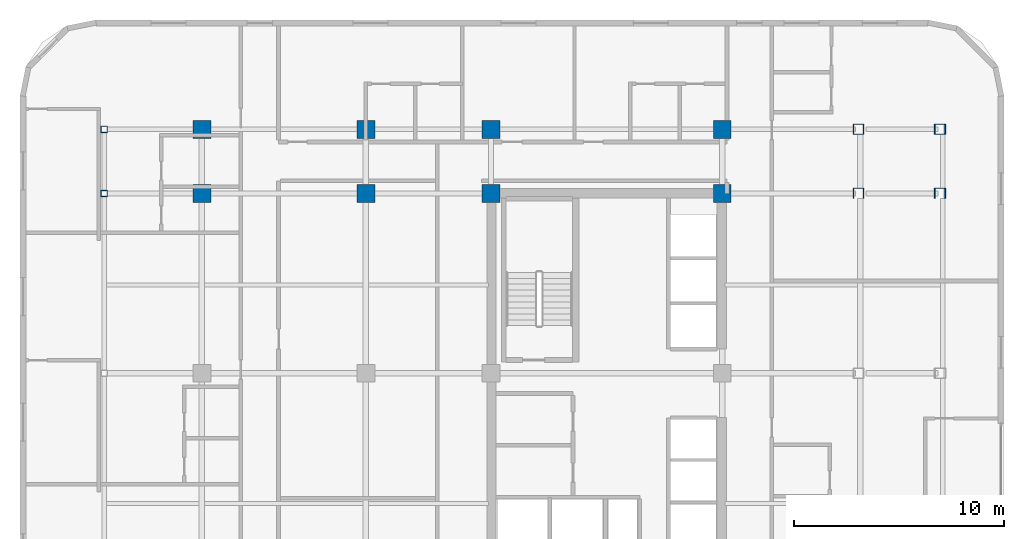
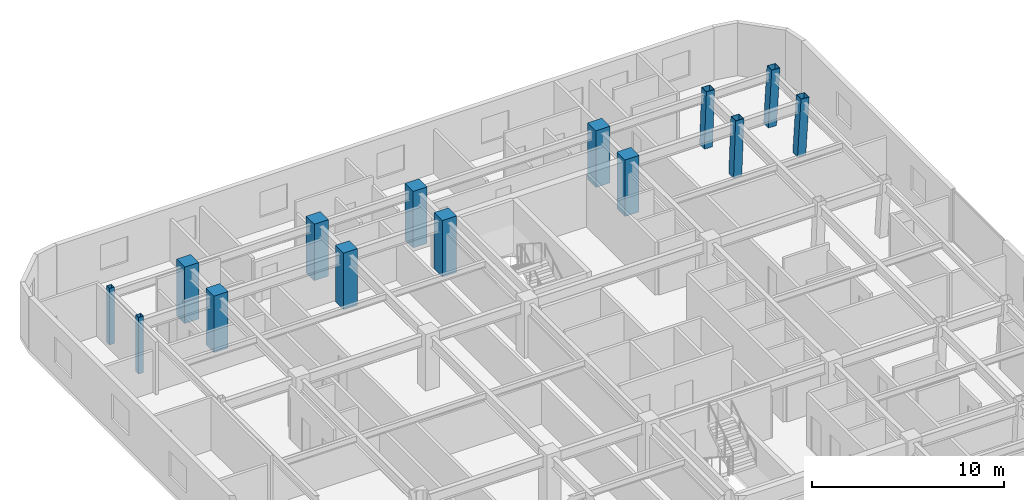
# One storey, part 3 of 13: 14 columns.
"""IFC4 building model written with IfcOpenShell, lengths in metres."""

from ifc_helpers import new_model, si_unit, direction, frame, origin, origin_2d, place, context, subcontext, project, spatial, rectangle, hollow_rectangle, extrude, material, material_profile, profile_set, type_object, element, save


model = new_model("IFC4")

# Units and contexts
model_context = context("Model", 3, precision=1e-05, world=origin(), true_north=direction((0.0, 1.0)))
body_context = subcontext(model_context, "Body", "Model", "MODEL_VIEW")
ifc_project = project(units=[si_unit("LENGTHUNIT", "METRE"), si_unit("AREAUNIT", "SQUARE_METRE"), si_unit("VOLUMEUNIT", "CUBIC_METRE"), si_unit("PLANEANGLEUNIT", "RADIAN"), si_unit("MASSUNIT", "GRAM", prefix="KILO")], contexts=[model_context])

# Site, building, storey
site_placement = place(None, origin())
site = spatial("IfcSite", under=ifc_project, at=site_placement, CompositionType="ELEMENT")
building_placement = place(site_placement, origin())
building = spatial("IfcBuilding", under=site, at=building_placement, Name="Ochreholt Gables", CompositionType="ELEMENT")
storey_placement = place(building_placement, frame((0.0, 0.0, 49.199951171875)))
storey = spatial("IfcBuildingStorey", under=building, at=storey_placement, Name="L12", CompositionType="ELEMENT", Elevation=49.199951171875)

# Columns
ifc_material_1 = material(Name="Steel CSA G40.21 350W", Category="steel")
ifc_material_profile_1 = material_profile(ifc_material_1, hollow_rectangle(XDim=0.304931640625, YDim=0.304931640625, WallThickness=0.0126953125, at=origin_2d()), Name="HSS305X305X13")
ifc_profile_set_1 = profile_set([ifc_material_profile_1], Name="Steel CSA G40.21 350W")
column_type_1 = type_object("IfcColumnType", Name="COL-HSS305-EXT", PredefinedType="COLUMN", material=ifc_profile_set_1)
for number, where, z_axis, x_axis, name in (
    (1, (5.800048828125, 38.75, 0.0), (0.0, 0.0, 1.0), (1.0, 0.0, 0.0), "L12 Column WTY5"),
    (2, (5.800048828125, 41.800048828125, 0.0), (0.0, 0.0, 1.0), (1.0, 0.0, 0.0), "L12 Column WTY6"),
):
    element("IfcColumn", number, at=place(storey_placement, frame(where, z_axis=z_axis, x_axis=x_axis)), inside=storey, type_object=column_type_1, Name=name, PredefinedType="COLUMN", context=body_context, shape_type="SweptSolid", body=[
        extrude(hollow_rectangle(XDim=0.304931640625, YDim=0.304931640625, WallThickness=0.0126953125, at=origin_2d()), origin(), (0.0, 0.0, 1.0), 3.60009765625),
    ])
ifc_material_profile_2 = material_profile(ifc_material_1, hollow_rectangle(XDim=0.5, YDim=0.5, WallThickness=0.02197265625, at=origin_2d()), Name="HSS500X500X22")
ifc_profile_set_2 = profile_set([ifc_material_profile_2], Name="Steel CSA G40.21 350W")
column_type_2 = type_object("IfcColumnType", Name="COL-HSS500-RAK", PredefinedType="COLUMN", material=ifc_profile_set_2)
column_1_placement = place(storey_placement, frame((41.657958984375, 38.75, 0.0), z_axis=(0.034971136209, 0.0, 0.999388322742), x_axis=(0.0, 1.0, 0.0)))
element("IfcColumn", 3, at=column_1_placement, inside=storey, type_object=column_type_2, Name="L12 Column EMY5", PredefinedType="COLUMN", context=body_context, shape_type="SweptSolid", body=[
    extrude(hollow_rectangle(XDim=0.5, YDim=0.5, WallThickness=0.02197265625, at=origin_2d()), origin(), (0.0, 0.0, 1.0), 3.602294921875),
])
ifc_material_profile_3 = material_profile(ifc_material_1, hollow_rectangle(XDim=0.5, YDim=0.5, WallThickness=0.02197265625, at=origin_2d()), Name="HSS500X500X22")
ifc_profile_set_3 = profile_set([ifc_material_profile_3], Name="Steel CSA G40.21 350W")
column_type_3 = type_object("IfcColumnType", Name="COL-HSS500-RAKE", PredefinedType="COLUMN", material=ifc_profile_set_3)
column_2_placement = place(storey_placement, frame((41.657958984375, 41.800048828125, 0.0), z_axis=(0.034971136209, 0.0, 0.999388322742), x_axis=(0.0, 1.0, 0.0)))
element("IfcColumn", 4, at=column_2_placement, inside=storey, type_object=column_type_3, Name="L12 Column EMY6", PredefinedType="COLUMN", context=body_context, shape_type="SweptSolid", body=[
    extrude(hollow_rectangle(XDim=0.5, YDim=0.5, WallThickness=0.02197265625, at=origin_2d()), origin(), (0.0, 0.0, 1.0), 3.602294921875),
])
for number, where, z_axis, x_axis, name in (
    (5, (45.510498046875, 38.75, 0.0), (0.057884606321, 0.0, 0.998323280481), (0.0, 1.0, 0.0), "L12 Column EEY5"),
    (6, (45.510498046875, 41.800048828125, 0.0), (0.057884606321, 0.0, 0.998323280481), (0.0, 1.0, 0.0), "L12 Column EEY6"),
):
    element("IfcColumn", number, at=place(storey_placement, frame(where, z_axis=z_axis, x_axis=x_axis)), inside=storey, type_object=column_type_3, Name=name, PredefinedType="COLUMN", context=body_context, shape_type="SweptSolid", body=[
        extrude(hollow_rectangle(XDim=0.5, YDim=0.5, WallThickness=0.02197265625, at=origin_2d()), origin(), (0.0, 0.0, 1.0), 3.606201171875),
    ])
ifc_material_2 = material(Name="Concrete 60 MPa", Category="concrete")
ifc_material_profile_4 = material_profile(ifc_material_2, rectangle(XDim=0.85009765625, YDim=0.85009765625, at=origin_2d()), Name="RC850X850")
ifc_profile_set_4 = profile_set([ifc_material_profile_4], Name="Concrete 60 MPa")
column_type_4 = type_object("IfcColumnType", Name="COL-RC850-EXT", PredefinedType="COLUMN", material=ifc_profile_set_4)
for number, where, z_axis, x_axis, name in (
    (7, (10.449951171875, 41.800048828125, 0.0), (0.0, 0.0, 1.0), (1.0, 0.0, 0.0), "L12 Column W2Y6"),
    (8, (18.25, 41.800048828125, 0.0), (0.0, 0.0, 1.0), (1.0, 0.0, 0.0), "L12 Column W3Y6"),
    (9, (24.199951171875, 41.800048828125, 0.0), (0.0, 0.0, 1.0), (1.0, 0.0, 0.0), "L12 Column C1Y6"),
    (10, (35.199951171875, 41.800048828125, 0.0), (0.0, 0.0, 1.0), (1.0, 0.0, 0.0), "L12 Column C2Y6"),
):
    element("IfcColumn", number, at=place(storey_placement, frame(where, z_axis=z_axis, x_axis=x_axis)), inside=storey, type_object=column_type_4, Name=name, PredefinedType="COLUMN", context=body_context, shape_type="SweptSolid", body=[
        extrude(rectangle(XDim=0.85009765625, YDim=0.85009765625, at=origin_2d()), origin(), (0.0, 0.0, 1.0), 3.60009765625),
    ])
ifc_material_profile_5 = material_profile(ifc_material_2, rectangle(XDim=0.85009765625, YDim=0.85009765625, at=origin_2d()), Name="RC850X850")
ifc_profile_set_5 = profile_set([ifc_material_profile_5], Name="Concrete 60 MPa")
column_type_5 = type_object("IfcColumnType", Name="COL-RC850-INT", PredefinedType="COLUMN", material=ifc_profile_set_5)
for number, where, z_axis, x_axis, name in (
    (11, (10.449951171875, 38.75, 0.0), (0.0, 0.0, 1.0), (1.0, 0.0, 0.0), "L12 Column W2Y5"),
    (12, (18.25, 38.75, 0.0), (0.0, 0.0, 1.0), (1.0, 0.0, 0.0), "L12 Column W3Y5"),
    (13, (24.199951171875, 38.75, 0.0), (0.0, 0.0, 1.0), (1.0, 0.0, 0.0), "L12 Column C1Y5"),
    (14, (35.199951171875, 38.75, 0.0), (0.0, 0.0, 1.0), (1.0, 0.0, 0.0), "L12 Column C2Y5"),
):
    element("IfcColumn", number, at=place(storey_placement, frame(where, z_axis=z_axis, x_axis=x_axis)), inside=storey, type_object=column_type_5, Name=name, PredefinedType="COLUMN", context=body_context, shape_type="SweptSolid", body=[
        extrude(rectangle(XDim=0.85009765625, YDim=0.85009765625, at=origin_2d()), origin(), (0.0, 0.0, 1.0), 3.60009765625),
    ])

save(model, "model.ifc")
